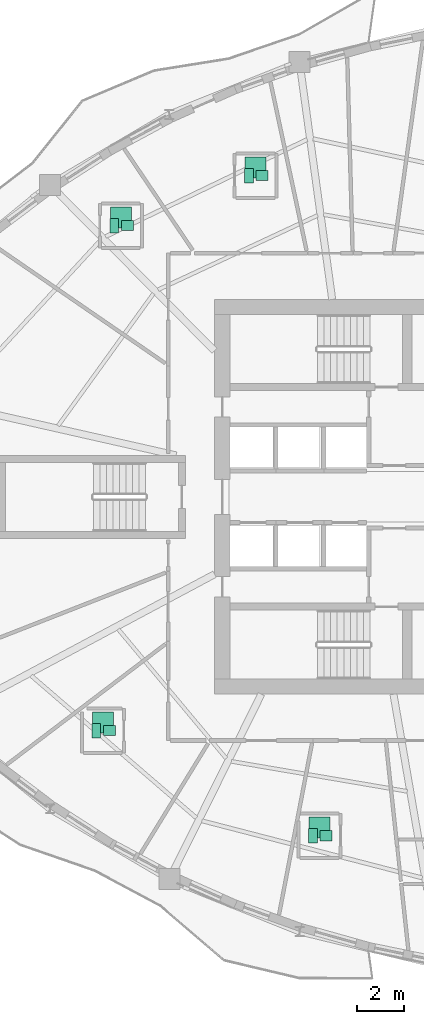
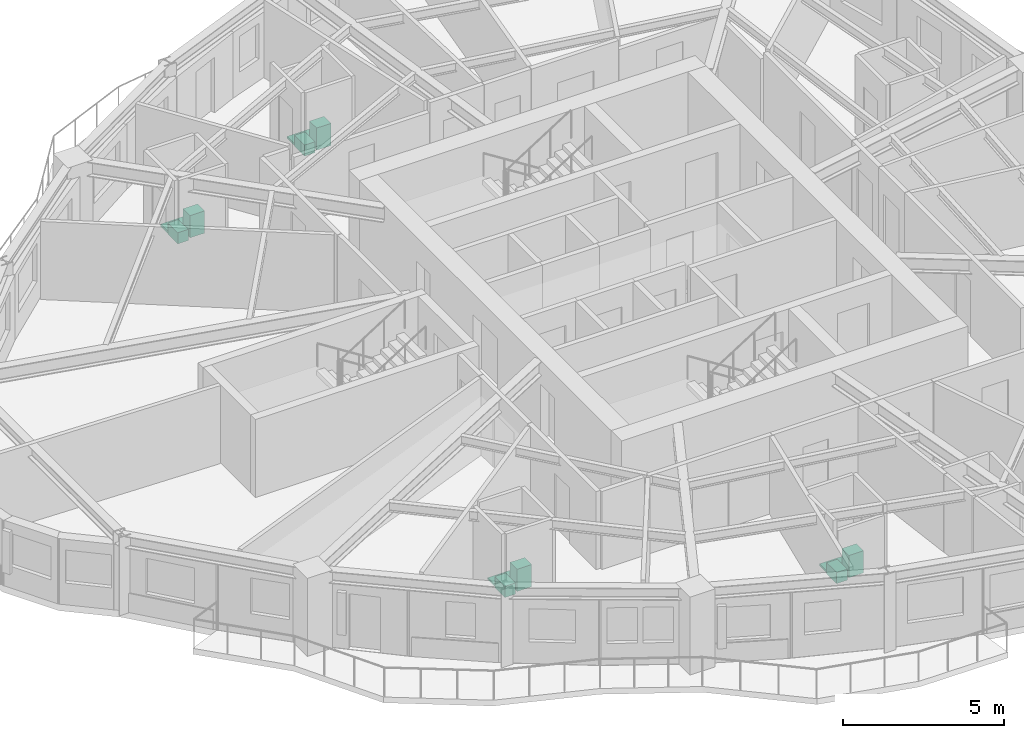
# One storey, part 14 of 14: 12 sanitary terminals.
"""IFC4 building model written with IfcOpenShell, lengths in metres."""

from ifc_helpers import new_model, si_unit, direction, frame, origin, origin_2d, place, context, subcontext, project, spatial, rectangle, extrude, source, transform, mapped, material, type_object, element, save


model = new_model("IFC4")

# Units and contexts
model_context = context("Model", 3, precision=1e-05, world=origin(), true_north=direction((0.0, 1.0)))
body_context = subcontext(model_context, "Body", "Model", "MODEL_VIEW")
ifc_project = project(units=[si_unit("LENGTHUNIT", "METRE"), si_unit("AREAUNIT", "SQUARE_METRE"), si_unit("VOLUMEUNIT", "CUBIC_METRE"), si_unit("PLANEANGLEUNIT", "RADIAN"), si_unit("MASSUNIT", "GRAM", prefix="KILO")], contexts=[model_context])

# Site, building, storey
site_placement = place(None, origin())
site = spatial("IfcSite", under=ifc_project, at=site_placement, CompositionType="ELEMENT")
building_placement = place(site_placement, origin())
building = spatial("IfcBuilding", under=site, at=building_placement, Name="Qafzar Sky-Pleat Residences", CompositionType="ELEMENT")
storey_placement = place(building_placement, frame((0.0, 0.0, 73.60009765625)))
storey = spatial("IfcBuildingStorey", under=building, at=storey_placement, Name="L21", CompositionType="ELEMENT", Elevation=73.60009765625)

# Sanitary terminals
ifc_material_1 = material(Name="Vitreous china sanitaryware")
sanitary_terminal_type_1 = type_object("IfcSanitaryTerminalType", Name="SAN-WC-PAN", PredefinedType="TOILETPAN", material=ifc_material_1)
shared_shape_1 = source(origin(), body_context, "Body", "SweptSolid", [
    extrude(rectangle(XDim=0.3798828125, YDim=0.6201171875, at=origin_2d()), origin(), (0.0, 0.0, 1.0), 0.419921875),
])
for number, where, z_axis, x_axis, name in (
    (1, (25.625, 39.7509765625, 0.0), (0.0, 0.0, 1.0), (1.0, 0.0, 0.0), "L21 En-suite Bathroom 3 WC Pan"),
    (2, (19.85693359375, 37.611083984375, 0.0), (0.0, 0.0, 1.0), (1.0, 0.0, 0.0), "L21 En-suite Bathroom 4 WC Pan"),
    (3, (19.0859375, 15.992919921875, 0.0), (0.0, 0.0, 1.0), (1.0, 0.0, 0.0), "L21 En-suite Bathroom 5 WC Pan"),
    (4, (28.364013671875, 11.498046875, 0.0), (0.0, 0.0, 1.0), (1.0, 0.0, 0.0), "L21 En-suite Bathroom 6 WC Pan"),
):
    element("IfcSanitaryTerminal", number, at=place(storey_placement, frame(where, z_axis=z_axis, x_axis=x_axis)), inside=storey, type_object=sanitary_terminal_type_1, Name=name, PredefinedType="TOILETPAN", context=body_context, shape_type="MappedRepresentation", body=[
        mapped(shared_shape_1, transform((0.0, 0.0, 0.0), x_axis=(1.0, 0.0, 0.0), y_axis=(0.0, 1.0, 0.0), z_axis=(0.0, 0.0, 1.0), scale=1.0)),
    ])
sanitary_terminal_type_2 = type_object("IfcSanitaryTerminalType", Name="SAN-BASIN", PredefinedType="WASHHANDBASIN", material=ifc_material_1)
shared_shape_2 = source(origin(), body_context, "Body", "SweptSolid", [
    extrude(rectangle(XDim=0.52001953125, YDim=0.43994140625, at=origin_2d()), origin(), (0.0, 0.0, 1.0), 0.840087890625),
])
for number, where, z_axis, x_axis, name in (
    (5, (26.18505859375, 39.7509765625, 0.0), (0.0, 0.0, 1.0), (1.0, 0.0, 0.0), "L21 En-suite Bathroom 3 Pedestal Washbasin"),
    (6, (20.4169921875, 37.611083984375, 0.0), (0.0, 0.0, 1.0), (1.0, 0.0, 0.0), "L21 En-suite Bathroom 4 Pedestal Washbasin"),
    (7, (19.64599609375, 15.992919921875, 0.0), (0.0, 0.0, 1.0), (1.0, 0.0, 0.0), "L21 En-suite Bathroom 5 Pedestal Washbasin"),
    (8, (28.924072265625, 11.498046875, 0.0), (0.0, 0.0, 1.0), (1.0, 0.0, 0.0), "L21 En-suite Bathroom 6 Pedestal Washbasin"),
):
    element("IfcSanitaryTerminal", number, at=place(storey_placement, frame(where, z_axis=z_axis, x_axis=x_axis)), inside=storey, type_object=sanitary_terminal_type_2, Name=name, PredefinedType="WASHHANDBASIN", context=body_context, shape_type="MappedRepresentation", body=[
        mapped(shared_shape_2, transform((0.0, 0.0, 0.0), x_axis=(1.0, 0.0, 0.0), y_axis=(0.0, 1.0, 0.0), z_axis=(0.0, 0.0, 1.0), scale=1.0)),
    ])
ifc_material_2 = material(Name="Vitreous china and acrylic tray")
sanitary_terminal_type_3 = type_object("IfcSanitaryTerminalType", Name="SAN-SHOWER", PredefinedType="SHOWER", material=ifc_material_2)
shared_shape_3 = source(origin(), body_context, "Body", "SweptSolid", [
    extrude(rectangle(XDim=0.89990234375, YDim=0.89990234375, at=origin_2d()), origin(), (0.0, 0.0, 1.0), 0.080078125),
])
for number, where, z_axis, x_axis, name in (
    (9, (25.905029296875, 40.091064453125, -0.000244140625), (0.0, 0.0, 1.0), (1.0, 0.0, 0.0), "L21 En-suite Bathroom 3 Walk-In Shower"),
    (10, (20.136962890625, 37.950927734375, -0.000244140625), (0.0, 0.0, 1.0), (1.0, 0.0, 0.0), "L21 En-suite Bathroom 4 Walk-In Shower"),
    (11, (19.365966796875, 16.3330078125, -0.000244140625), (0.0, 0.0, 1.0), (1.0, 0.0, 0.0), "L21 En-suite Bathroom 5 Walk-In Shower"),
    (12, (28.64404296875, 11.837890625, -0.000244140625), (0.0, 0.0, 1.0), (1.0, 0.0, 0.0), "L21 En-suite Bathroom 6 Walk-In Shower"),
):
    element("IfcSanitaryTerminal", number, at=place(storey_placement, frame(where, z_axis=z_axis, x_axis=x_axis)), inside=storey, type_object=sanitary_terminal_type_3, Name=name, PredefinedType="SHOWER", context=body_context, shape_type="MappedRepresentation", body=[
        mapped(shared_shape_3, transform((0.0, 0.0, 0.0), x_axis=(1.0, 0.0, 0.0), y_axis=(0.0, 1.0, 0.0), z_axis=(0.0, 0.0, 1.0), scale=1.0)),
    ])

save(model, "model.ifc")
